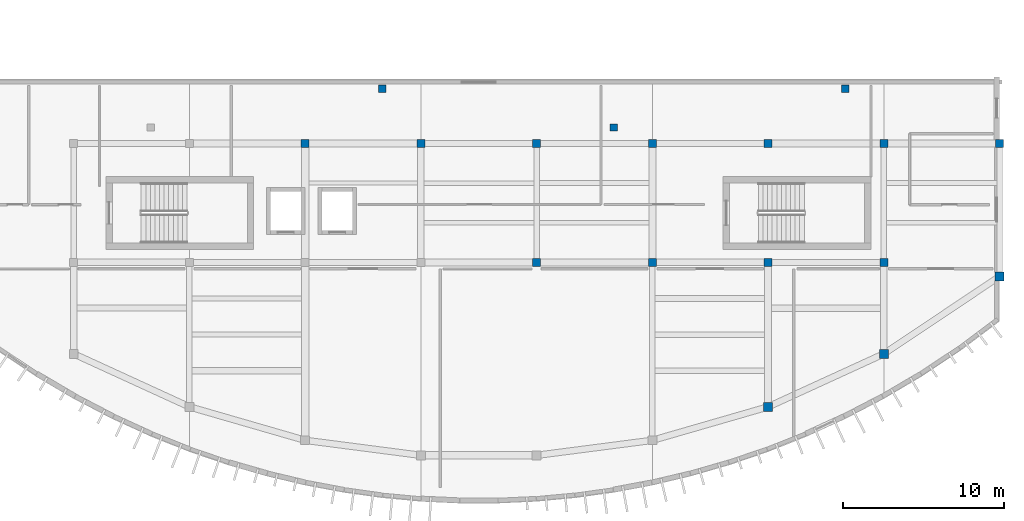
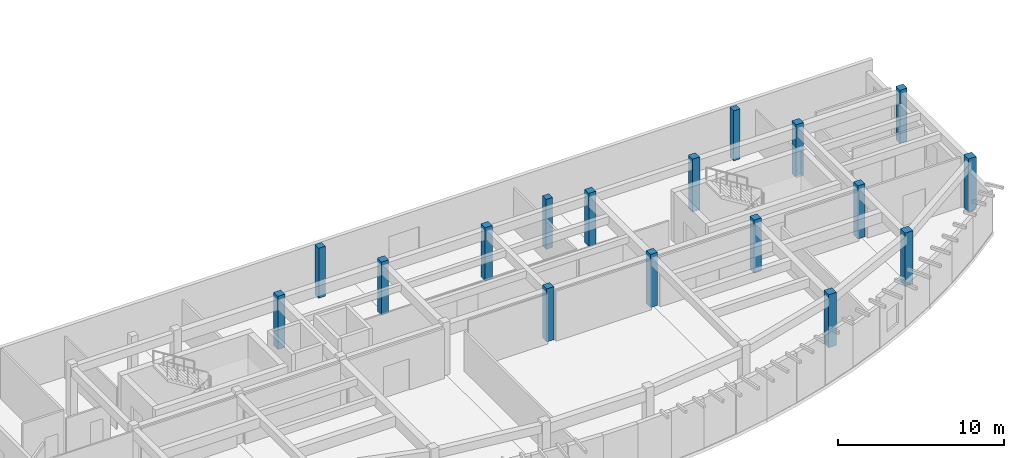
# One storey, part 2 of 32: 17 columns.
"""IFC4 building model written with IfcOpenShell, lengths in metres."""

from ifc_helpers import new_model, si_unit, direction, frame, origin, origin_2d, place, context, subcontext, project, spatial, rectangle, extrude, material, material_profile, profile_set, type_object, element, save


model = new_model("IFC4")

# Units and contexts
model_context = context("Model", 3, precision=1e-05, world=origin(), true_north=direction((0.0, 1.0)))
body_context = subcontext(model_context, "Body", "Model", "MODEL_VIEW")
ifc_project = project(units=[si_unit("LENGTHUNIT", "METRE"), si_unit("AREAUNIT", "SQUARE_METRE"), si_unit("VOLUMEUNIT", "CUBIC_METRE"), si_unit("PLANEANGLEUNIT", "RADIAN"), si_unit("MASSUNIT", "GRAM", prefix="KILO")], contexts=[model_context])

# Site, building, storey
site_placement = place(None, origin())
site = spatial("IfcSite", under=ifc_project, at=site_placement, CompositionType="ELEMENT")
building_placement = place(site_placement, origin())
building = spatial("IfcBuilding", under=site, at=building_placement, Name="Brisavento Harbour Community Centre", CompositionType="ELEMENT")
storey_placement = place(building_placement, frame((0.0, 0.0, 12.89990234375)))
storey = spatial("IfcBuildingStorey", under=building, at=storey_placement, Name="L03", CompositionType="ELEMENT", Elevation=12.89990234375)

# Columns
ifc_material = material(Name="Concrete C35/45", Category="concrete")
ifc_material_profile_1 = material_profile(ifc_material, rectangle(XDim=0.449951171875, YDim=0.449951171875, at=origin_2d()), Name="Concrete C35/45")
ifc_profile_set_1 = profile_set([ifc_material_profile_1], Name="Concrete C35/45")
column_type_1 = type_object("IfcColumnType", Name="COL-RC-450", PredefinedType="COLUMN", material=ifc_profile_set_1)
for number, where, z_axis, x_axis, name in (
    (1, (134.39990234375, 25.800048828125, 0.0), (0.0, 0.0, 1.0), (1.0, 0.0, 0.0), "L03 column V3TER-134"),
    (2, (148.800048828125, 23.39990234375, 0.0), (0.0, 0.0, 1.0), (1.0, 0.0, 0.0), "L03 column V3TER-148"),
    (3, (163.199951171875, 25.800048828125, 0.0), (0.0, 0.0, 1.0), (1.0, 0.0, 0.0), "L03 column V3TER-163"),
):
    element("IfcColumn", number, at=place(storey_placement, frame(where, z_axis=z_axis, x_axis=x_axis)), inside=storey, type_object=column_type_1, Name=name, PredefinedType="COLUMN", context=body_context, shape_type="SweptSolid", body=[
        extrude(rectangle(XDim=0.449951171875, YDim=0.449951171875, at=origin_2d()), origin(), (0.0, 0.0, 1.0), 3.670166015625),
    ])
ifc_material_profile_2 = material_profile(ifc_material, rectangle(XDim=0.5, YDim=0.5, at=origin_2d()), Name="Concrete C35/45")
ifc_profile_set_2 = profile_set([ifc_material_profile_2], Name="Concrete C35/45")
column_type_2 = type_object("IfcColumnType", Name="COL-RC-500", PredefinedType="COLUMN", material=ifc_profile_set_2)
for number, where, z_axis, x_axis, name in (
    (4, (129.60009765625, 22.39990234375, 0.0), (0.0, 0.0, 1.0), (1.0, 0.0, 0.0), "L03 column V3N1-129"),
    (5, (136.800048828125, 22.39990234375, 0.0), (0.0, 0.0, 1.0), (1.0, 0.0, 0.0), "L03 column V3N1-136"),
    (6, (144.0, 15.0, 0.0), (0.0, 0.0, 1.0), (1.0, 0.0, 0.0), "L03 column V3M-144"),
    (7, (144.0, 22.39990234375, 0.0), (0.0, 0.0, 1.0), (1.0, 0.0, 0.0), "L03 column V3N1-144"),
    (8, (151.199951171875, 15.0, 0.0), (0.0, 0.0, 1.0), (1.0, 0.0, 0.0), "L03 column V3M-151"),
    (9, (151.199951171875, 22.39990234375, 0.0), (0.0, 0.0, 1.0), (1.0, 0.0, 0.0), "L03 column V3N1-151"),
    (10, (158.39990234375, 15.0, 0.0), (0.0, 0.0, 1.0), (1.0, 0.0, 0.0), "L03 column V3M-158"),
    (11, (158.39990234375, 22.39990234375, 0.0), (0.0, 0.0, 1.0), (1.0, 0.0, 0.0), "L03 column V3N1-158"),
    (12, (165.60009765625, 15.0, 0.0), (0.0, 0.0, 1.0), (1.0, 0.0, 0.0), "L03 column V3M-165"),
    (13, (165.60009765625, 22.39990234375, 0.0), (0.0, 0.0, 1.0), (1.0, 0.0, 0.0), "L03 column V3N1-165"),
    (14, (172.800048828125, 22.39990234375, 0.0), (0.0, 0.0, 1.0), (1.0, 0.0, 0.0), "L03 column V3N1-172"),
):
    element("IfcColumn", number, at=place(storey_placement, frame(where, z_axis=z_axis, x_axis=x_axis)), inside=storey, type_object=column_type_2, Name=name, PredefinedType="COLUMN", context=body_context, shape_type="SweptSolid", body=[
        extrude(rectangle(XDim=0.5, YDim=0.5, at=origin_2d()), origin(), (0.0, 0.0, 1.0), 3.900146484375),
    ])
ifc_material_profile_3 = material_profile(ifc_material, rectangle(XDim=0.550048828125, YDim=0.550048828125, at=origin_2d()), Name="Concrete C35/45")
ifc_profile_set_3 = profile_set([ifc_material_profile_3], Name="Concrete C35/45")
column_type_3 = type_object("IfcColumnType", Name="COL-RC-550", PredefinedType="COLUMN", material=ifc_profile_set_3)
for number, where, z_axis, x_axis, name in (
    (15, (158.39990234375, 6.014892578125, 0.0), (0.0, 0.0, 1.0), (1.0, 0.0, 0.0), "L03 column V3S-158"),
    (16, (165.60009765625, 9.31396484375, 0.0), (0.0, 0.0, 1.0), (1.0, 0.0, 0.0), "L03 column V3S-165"),
    (17, (172.800048828125, 14.1279296875, 0.0), (0.0, 0.0, 1.0), (1.0, 0.0, 0.0), "L03 column V3S-172"),
):
    element("IfcColumn", number, at=place(storey_placement, frame(where, z_axis=z_axis, x_axis=x_axis)), inside=storey, type_object=column_type_3, Name=name, PredefinedType="COLUMN", context=body_context, shape_type="SweptSolid", body=[
        extrude(rectangle(XDim=0.550048828125, YDim=0.550048828125, at=origin_2d()), origin(), (0.0, 0.0, 1.0), 3.900146484375),
    ])

save(model, "model.ifc")
